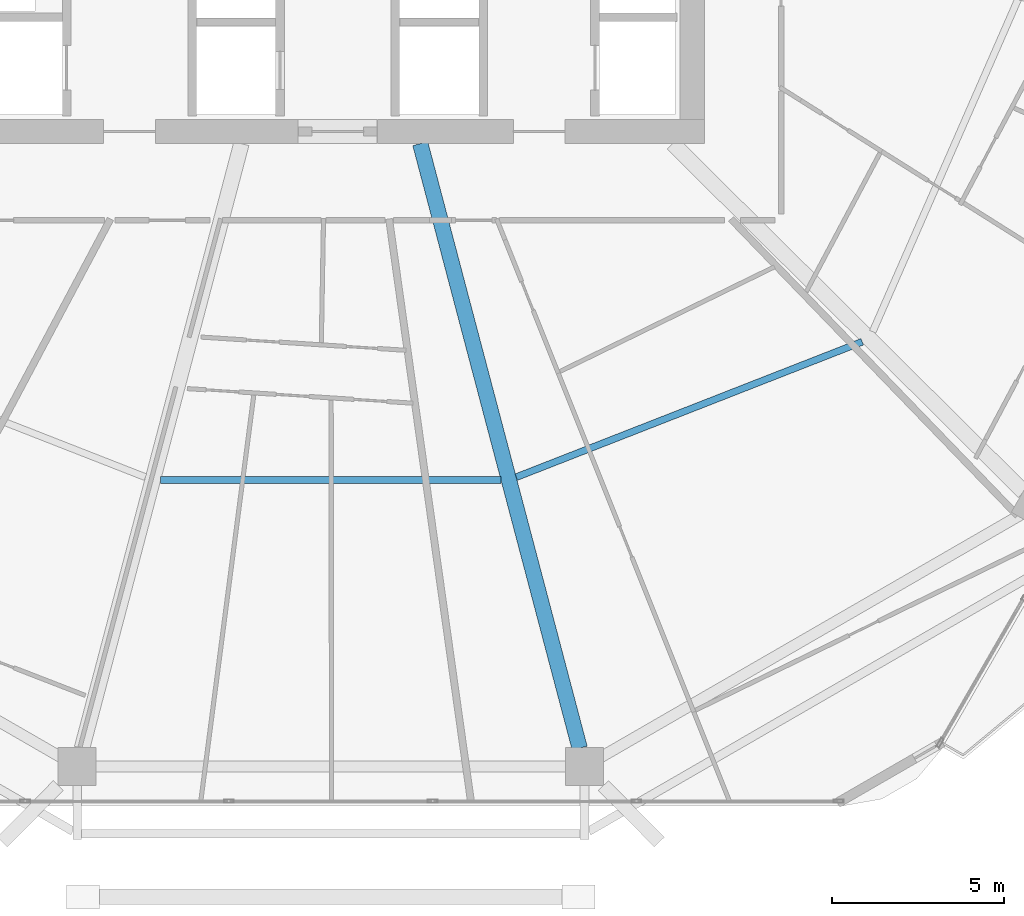
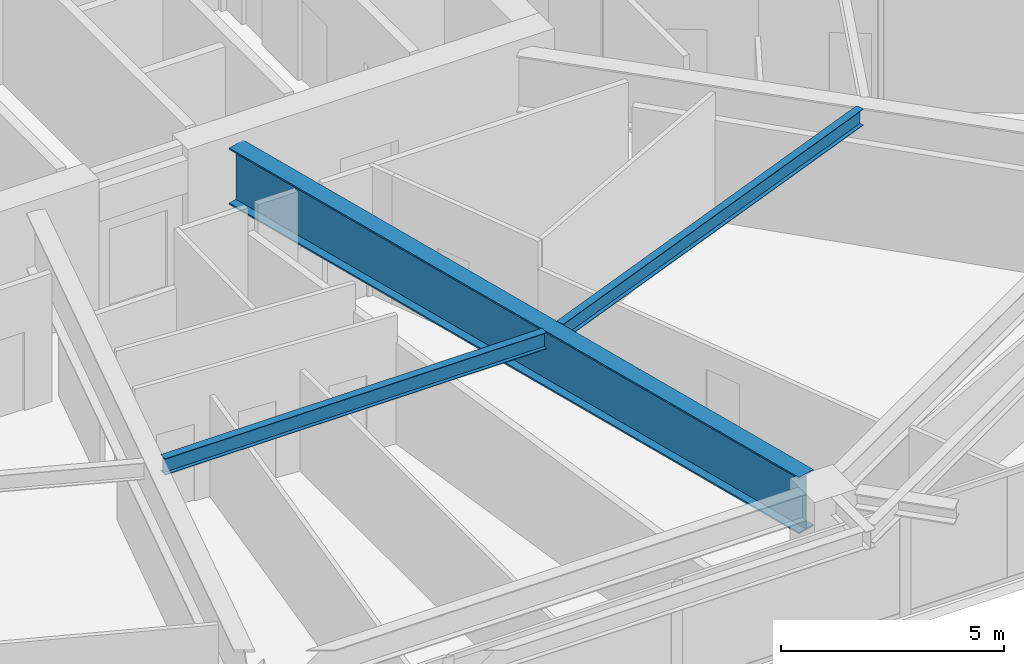
# One storey, part 8 of 33: 3 beams.
"""IFC4 building model written with IfcOpenShell, lengths in metres."""

from ifc_helpers import new_model, si_unit, direction, frame, origin, origin_2d, place, context, subcontext, project, spatial, i_section, extrude, material, material_profile, profile_set, type_object, element, save


model = new_model("IFC4")

# Units and contexts
model_context = context("Model", 3, precision=1e-05, world=origin(), true_north=direction((0.0, 1.0)))
body_context = subcontext(model_context, "Body", "Model", "MODEL_VIEW")
ifc_project = project(units=[si_unit("LENGTHUNIT", "METRE"), si_unit("AREAUNIT", "SQUARE_METRE"), si_unit("VOLUMEUNIT", "CUBIC_METRE"), si_unit("PLANEANGLEUNIT", "RADIAN"), si_unit("MASSUNIT", "GRAM", prefix="KILO")], contexts=[model_context])

# Site, building, storey
site_placement = place(None, origin())
site = spatial("IfcSite", under=ifc_project, at=site_placement, CompositionType="ELEMENT")
building_placement = place(site_placement, origin())
building = spatial("IfcBuilding", under=site, at=building_placement, Name="Zuhravey Tower", CompositionType="ELEMENT")
storey_placement = place(building_placement, frame((0.0, 0.0, 141.800048828125)))
storey = spatial("IfcBuildingStorey", under=building, at=storey_placement, Name="L35", CompositionType="ELEMENT", Elevation=141.800048828125)

# Beams
ifc_material_1 = material(Name="Steel SM460", Category="steel")
ifc_material_profile_1 = material_profile(ifc_material_1, i_section(OverallWidth=0.449951171875, OverallDepth=1.550048828125, WebThickness=0.02587890625, FlangeThickness=0.0419921875, at=origin_2d()), Name="H-1550x450x26x42")
ifc_profile_set_1 = profile_set([ifc_material_profile_1], Name="Steel SM460")
beam_type_1 = type_object("IfcBeamType", Name="Heavy Setback Transfer Girder H1550x450", PredefinedType="BEAM", material=ifc_profile_set_1)
beam_1_placement = place(storey_placement, frame((38.59814453125, 22.14697265625, 2.744873046875), z_axis=(0.25498755891, -0.966944333869, 0.0), x_axis=(0.966944333869, 0.25498755891, 0.0)))
element("IfcBeam", 1, at=beam_1_placement, inside=storey, type_object=beam_type_1, Name="L35 TG3 BM-L35-RAD-10", PredefinedType="BEAM", context=body_context, shape_type="SweptSolid", body=[
    extrude(i_section(OverallWidth=0.449951171875, OverallDepth=1.550048828125, WebThickness=0.02587890625, FlangeThickness=0.0419921875, at=origin_2d()), origin(), (0.0, 0.0, 1.0), 18.1611328125),
])
ifc_material_2 = material(Name="Steel SM355", Category="steel")
ifc_material_profile_2 = material_profile(ifc_material_2, i_section(OverallWidth=0.199951171875, OverallDepth=0.449951171875, WebThickness=0.009033203125, FlangeThickness=0.013916015625, at=origin_2d()), Name="H-450x200x9x14")
ifc_profile_set_2 = profile_set([ifc_material_profile_2], Name="Steel SM355")
beam_type_2 = type_object("IfcBeamType", Name="Secondary Floor Joist H450x200", PredefinedType="JOIST", material=ifc_profile_set_2)
beam_2_placement = place(storey_placement, frame((31.053955078125, 12.37548828125, 3.294921875), z_axis=(1.0, 0.0, 0.0), x_axis=(0.0, 1.0, 0.0)))
element("IfcBeam", 2, at=beam_2_placement, inside=storey, type_object=beam_type_2, Name="L35 SJ1 BM-L35-SJ-09-1", PredefinedType="JOIST", context=body_context, shape_type="SweptSolid", body=[
    extrude(i_section(OverallWidth=0.199951171875, OverallDepth=0.449951171875, WebThickness=0.009033203125, FlangeThickness=0.013916015625, at=origin_2d()), origin(), (0.0, 0.0, 1.0), 9.89208984375),
])
beam_3_placement = place(storey_placement, frame((41.38818359375, 12.458984375, 3.294921875), z_axis=(0.93121773873, 0.364463335708, 0.0), x_axis=(-0.364463335708, 0.93121773873, 0.0)))
element("IfcBeam", 3, at=beam_3_placement, inside=storey, type_object=beam_type_2, Name="L35 SJ1 BM-L35-SJ-10-1", PredefinedType="JOIST", context=body_context, shape_type="SweptSolid", body=[
    extrude(i_section(OverallWidth=0.199951171875, OverallDepth=0.449951171875, WebThickness=0.009033203125, FlangeThickness=0.013916015625, at=origin_2d()), origin(), (0.0, 0.0, 1.0), 10.78955078125),
])

save(model, "model.ifc")
